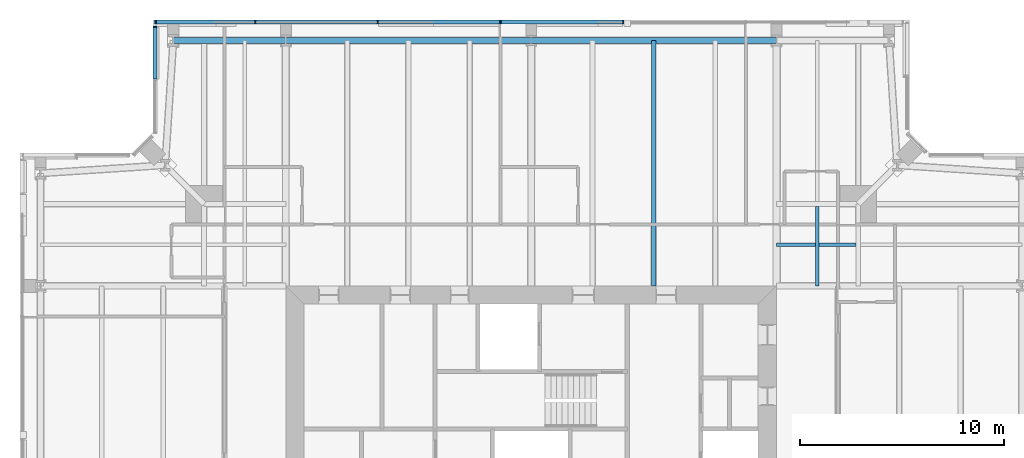
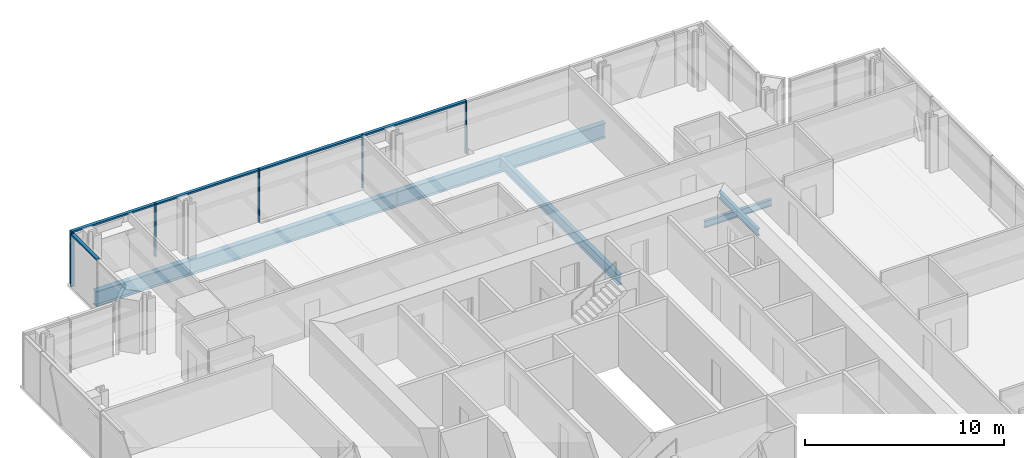
# One storey, part 8 of 20: 11 members, 7 beams, 2 elements without a shape of their own.
"""IFC4 building model written with IfcOpenShell, lengths in metres."""

from ifc_helpers import new_model, si_unit, direction, frame, origin, origin_2d, place, context, subcontext, project, spatial, rectangle, i_section, extrude, material, material_profile, profile_set, type_object, element, aggregate, save


model = new_model("IFC4")

# Units and contexts
model_context = context("Model", 3, precision=1e-05, world=origin(), true_north=direction((0.0, 1.0)))
body_context = subcontext(model_context, "Body", "Model", "MODEL_VIEW")
ifc_project = project(units=[si_unit("LENGTHUNIT", "METRE"), si_unit("AREAUNIT", "SQUARE_METRE"), si_unit("VOLUMEUNIT", "CUBIC_METRE"), si_unit("PLANEANGLEUNIT", "RADIAN"), si_unit("MASSUNIT", "GRAM", prefix="KILO")], contexts=[model_context])

# Site, building, storey
site_placement = place(None, origin())
site = spatial("IfcSite", under=ifc_project, at=site_placement, CompositionType="ELEMENT")
building_placement = place(site_placement, origin())
building = spatial("IfcBuilding", under=site, at=building_placement, Name="Fenwick Lantern Interchange", CompositionType="ELEMENT")
storey_placement = place(building_placement, frame((0.0, 0.0, 279.800048828125)))
storey = spatial("IfcBuildingStorey", under=building, at=storey_placement, Name="L67", CompositionType="ELEMENT", Elevation=279.800048828125)

# Beams
ifc_material_1 = material(Name="Steel ASTM A992 Grade 50", Category="steel")
ifc_material_profile_1 = material_profile(ifc_material_1, i_section(OverallWidth=0.3046875, OverallDepth=0.911865234375, WebThickness=0.015869140625, FlangeThickness=0.02392578125, at=origin_2d()), Name="W36X150")
ifc_profile_set_1 = profile_set([ifc_material_profile_1], Name="Steel ASTM A992 Grade 50")
beam_type_1 = type_object("IfcBeamType", Name="EDGE BEAM W36X150", PredefinedType="SPANDREL", material=ifc_profile_set_1)
for number, where, z_axis, x_axis, name in (
    (1, (37.0, 49.0, -0.60595703125), (-1.0, 0.0, 0.0), (0.0, -1.0, 0.0), "L67/FR/N/EB2"),
    (2, (25.0, 49.0, -0.60595703125), (-1.0, 0.0, 0.0), (0.0, -1.0, 0.0), "L67/FR/N/EB3"),
):
    element("IfcBeam", number, at=place(storey_placement, frame(where, z_axis=z_axis, x_axis=x_axis)), inside=storey, type_object=beam_type_1, Name=name, PredefinedType="SPANDREL", context=body_context, shape_type="SweptSolid", body=[
        extrude(i_section(OverallWidth=0.3046875, OverallDepth=0.911865234375, WebThickness=0.015869140625, FlangeThickness=0.02392578125, at=origin_2d()), origin(), (0.0, 0.0, 1.0), 12.0),
    ])
beam_1_placement = place(storey_placement, frame((13.0, 49.0, -0.60595703125), z_axis=(-1.0, 0.0, 0.0), x_axis=(0.0, -1.0, 0.0)))
element("IfcBeam", 3, at=beam_1_placement, inside=storey, type_object=beam_type_1, Name="L67/FR/N/EB4", PredefinedType="SPANDREL", context=body_context, shape_type="SweptSolid", body=[
    extrude(i_section(OverallWidth=0.3046875, OverallDepth=0.911865234375, WebThickness=0.015869140625, FlangeThickness=0.02392578125, at=origin_2d()), origin(), (0.0, 0.0, 1.0), 5.5),
])
ifc_material_profile_2 = material_profile(ifc_material_1, i_section(OverallWidth=0.22900390625, OverallDepth=0.612060546875, WebThickness=0.011962890625, FlangeThickness=0.01953125, at=origin_2d()), Name="W24X84")
ifc_profile_set_2 = profile_set([ifc_material_profile_2], Name="Steel ASTM A992 Grade 50")
beam_type_2 = type_object("IfcBeamType", Name="FLOOR BEAM W24X84", PredefinedType="BEAM", material=ifc_profile_set_2)
beam_2_placement = place(storey_placement, frame((31.0, 49.0, -0.4560546875), z_axis=(0.0, -1.0, 0.0), x_axis=(1.0, 0.0, 0.0)))
element("IfcBeam", 4, at=beam_2_placement, inside=storey, type_object=beam_type_2, Name="L67/FR/N/R03", PredefinedType="BEAM", context=body_context, shape_type="SweptSolid", body=[
    extrude(i_section(OverallWidth=0.22900390625, OverallDepth=0.612060546875, WebThickness=0.011962890625, FlangeThickness=0.01953125, at=origin_2d()), origin(), (0.0, 0.0, 1.0), 12.0),
])

# Curtain wall, members
ifc_material_2 = material(Name="Aluminium curtain wall frame", Category="aluminium")
curtain_wall_type = type_object("IfcCurtainWallType", Name="HOTEL CURTAIN WALL", PredefinedType="USERDEFINED", material=ifc_material_2)
curtain_wall_1_placement = place(storey_placement, origin())
curtain_wall_1 = element("IfcCurtainWall", 5, at=curtain_wall_1_placement, inside=storey, type_object=curtain_wall_type, Name="Hotel curtain wall 09", ObjectType="HOTEL CURTAIN WALL", PredefinedType="USERDEFINED")
ifc_material_3 = material(Name="Aluminium extrusion", Category="aluminium")
ifc_material_profile_3 = material_profile(ifc_material_3, rectangle(XDim=0.179931640625, YDim=0.06005859375, at=origin_2d()), Name="HOTEL CURTAIN WALL MULLION 60 X 180")
ifc_profile_set_3 = profile_set([ifc_material_profile_3], Name="Aluminium extrusion")
member_type_1 = type_object("IfcMemberType", Name="HOTEL CURTAIN WALL MULLION 60 X 180", PredefinedType="MULLION", material=ifc_profile_set_3)
member_1_placement = place(storey_placement, frame((29.5, 49.89990234375, 0.0), z_axis=(0.0, 0.0, 1.0), x_axis=(0.0, -1.0, 0.0)))
member_1 = element("IfcMember", 6, at=member_1_placement, type_object=member_type_1, Name="L67/CW/09/M03", PredefinedType="MULLION", context=body_context, shape_type="SweptSolid", body=[
    extrude(rectangle(XDim=0.179931640625, YDim=0.06005859375, at=origin_2d()), origin(), (0.0, 0.0, 1.0), 3.25),
])
member_2_placement = place(storey_placement, frame((23.5, 49.89990234375, 0.0), z_axis=(0.0, 0.0, 1.0), x_axis=(0.0, -1.0, 0.0)))
member_2 = element("IfcMember", 7, at=member_2_placement, type_object=member_type_1, Name="L67/CW/09/M04", PredefinedType="MULLION", context=body_context, shape_type="SweptSolid", body=[
    extrude(rectangle(XDim=0.179931640625, YDim=0.06005859375, at=origin_2d()), origin(), (0.0, 0.0, 1.0), 3.25),
])
member_3_placement = place(storey_placement, frame((17.5, 49.89990234375, 0.0), z_axis=(0.0, 0.0, 1.0), x_axis=(0.0, -1.0, 0.0)))
member_3 = element("IfcMember", 8, at=member_3_placement, type_object=member_type_1, Name="L67/CW/09/M05", PredefinedType="MULLION", context=body_context, shape_type="SweptSolid", body=[
    extrude(rectangle(XDim=0.179931640625, YDim=0.06005859375, at=origin_2d()), origin(), (0.0, 0.0, 1.0), 3.25),
])
member_4_placement = place(storey_placement, frame((11.5, 49.89990234375, 0.0), z_axis=(0.0, 0.0, 1.0), x_axis=(0.0, -1.0, 0.0)))
member_4 = element("IfcMember", 9, at=member_4_placement, type_object=member_type_1, Name="L67/CW/09/M06", PredefinedType="MULLION", context=body_context, shape_type="SweptSolid", body=[
    extrude(rectangle(XDim=0.179931640625, YDim=0.06005859375, at=origin_2d()), origin(), (0.0, 0.0, 1.0), 3.25),
])
member_5_placement = place(storey_placement, frame((6.6298828125, 49.89990234375, 0.0), z_axis=(0.0, 0.0, 1.0), x_axis=(0.0, -1.0, 0.0)))
member_5 = element("IfcMember", 10, at=member_5_placement, type_object=member_type_1, Name="L67/CW/09/M07", PredefinedType="MULLION", context=body_context, shape_type="SweptSolid", body=[
    extrude(rectangle(XDim=0.179931640625, YDim=0.06005859375, at=origin_2d()), origin(), (0.0, 0.0, 1.0), 3.25),
])

# Curtain wall, member
curtain_wall_2_placement = place(storey_placement, origin())
curtain_wall_2 = element("IfcCurtainWall", 11, at=curtain_wall_2_placement, inside=storey, type_object=curtain_wall_type, Name="Hotel curtain wall 10", ObjectType="HOTEL CURTAIN WALL", PredefinedType="USERDEFINED")
member_6_placement = place(storey_placement, frame((6.60009765625, 49.669921875, 0.0), z_axis=(0.0, 0.0, 1.0), x_axis=(1.0, 0.0, 0.0)))
member_6 = element("IfcMember", 12, at=member_6_placement, type_object=member_type_1, Name="L67/CW/10/M00", PredefinedType="MULLION", context=body_context, shape_type="SweptSolid", body=[
    extrude(rectangle(XDim=0.179931640625, YDim=0.06005859375, at=origin_2d()), origin(), (0.0, 0.0, 1.0), 3.25),
])

# Member
ifc_material_profile_4 = material_profile(ifc_material_3, rectangle(XDim=0.179931640625, YDim=0.10009765625, at=origin_2d()), Name="HOTEL CURTAIN WALL TRANSOM 100 X 180")
ifc_profile_set_4 = profile_set([ifc_material_profile_4], Name="Aluminium extrusion")
member_type_2 = type_object("IfcMemberType", Name="HOTEL CURTAIN WALL TRANSOM 100 X 180", PredefinedType="MULLION", material=ifc_profile_set_4)
member_7_placement = place(storey_placement, frame((29.469970703125, 49.89990234375, 3.199951171875), z_axis=(-1.0, 0.0, 0.0), x_axis=(0.0, -1.0, 0.0)))
member_7 = element("IfcMember", 13, at=member_7_placement, type_object=member_type_2, Name="L67/CW/09/T03", PredefinedType="MULLION", context=body_context, shape_type="SweptSolid", body=[
    extrude(rectangle(XDim=0.179931640625, YDim=0.10009765625, at=origin_2d()), origin(), (0.0, 0.0, 1.0), 5.93994140625),
])

member_8_placement = place(storey_placement, frame((23.469970703125, 49.89990234375, 3.199951171875), z_axis=(-1.0, 0.0, 0.0), x_axis=(0.0, -1.0, 0.0)))
member_8 = element("IfcMember", 14, at=member_8_placement, type_object=member_type_2, Name="L67/CW/09/T04", PredefinedType="MULLION", context=body_context, shape_type="SweptSolid", body=[
    extrude(rectangle(XDim=0.179931640625, YDim=0.10009765625, at=origin_2d()), origin(), (0.0, 0.0, 1.0), 5.93994140625),
])

member_9_placement = place(storey_placement, frame((17.469970703125, 49.89990234375, 3.199951171875), z_axis=(-1.0, 0.0, 0.0), x_axis=(0.0, -1.0, 0.0)))
member_9 = element("IfcMember", 15, at=member_9_placement, type_object=member_type_2, Name="L67/CW/09/T05", PredefinedType="MULLION", context=body_context, shape_type="SweptSolid", body=[
    extrude(rectangle(XDim=0.179931640625, YDim=0.10009765625, at=origin_2d()), origin(), (0.0, 0.0, 1.0), 5.93994140625),
])

member_10_placement = place(storey_placement, frame((11.469970703125, 49.89990234375, 3.199951171875), z_axis=(-1.0, 0.0, 0.0), x_axis=(0.0, -1.0, 0.0)))
member_10 = element("IfcMember", 16, at=member_10_placement, type_object=member_type_2, Name="L67/CW/09/T06", PredefinedType="MULLION", context=body_context, shape_type="SweptSolid", body=[
    extrude(rectangle(XDim=0.179931640625, YDim=0.10009765625, at=origin_2d()), origin(), (0.0, 0.0, 1.0), 4.81005859375),
])

aggregate(curtain_wall_1, [member_1, member_2, member_3, member_4, member_5, member_7, member_8, member_9, member_10])

member_11_placement = place(storey_placement, frame((6.60009765625, 49.639892578125, 3.199951171875), z_axis=(0.0, -1.0, 0.0), x_axis=(1.0, 0.0, 0.0)))
member_11 = element("IfcMember", 17, at=member_11_placement, type_object=member_type_2, Name="L67/CW/10/T00", PredefinedType="MULLION", context=body_context, shape_type="SweptSolid", body=[
    extrude(rectangle(XDim=0.179931640625, YDim=0.10009765625, at=origin_2d()), origin(), (0.0, 0.0, 1.0), 2.530517578125),
])

aggregate(curtain_wall_2, [member_6, member_11])

# Beams
ifc_material_profile_5 = material_profile(ifc_material_1, i_section(OverallWidth=0.177734375, OverallDepth=0.406494140625, WebThickness=0.0078125, FlangeThickness=0.012939453125, at=origin_2d()), Name="W16X40")
ifc_profile_set_5 = profile_set([ifc_material_profile_5], Name="Steel ASTM A992 Grade 50")
beam_type_3 = type_object("IfcBeamType", Name="INFILL BEAM W16X40", PredefinedType="JOIST", material=ifc_profile_set_5)
beam_3_placement = place(storey_placement, frame((39.0, 40.885498046875, -0.353271484375), z_axis=(0.0, -1.0, 0.0), x_axis=(1.0, 0.0, 0.0)))
element("IfcBeam", 18, at=beam_3_placement, inside=storey, type_object=beam_type_3, Name="L67/FR/N/J2", PredefinedType="JOIST", context=body_context, shape_type="SweptSolid", body=[
    extrude(i_section(OverallWidth=0.177734375, OverallDepth=0.406494140625, WebThickness=0.0078125, FlangeThickness=0.012939453125, at=origin_2d()), origin(), (0.0, 0.0, 1.0), 3.885498046875),
])
beam_4_placement = place(storey_placement, frame((40.885498046875, 39.0, -0.353271484375), z_axis=(-1.0, 0.0, 0.0), x_axis=(0.0, -1.0, 0.0)))
element("IfcBeam", 19, at=beam_4_placement, inside=storey, type_object=beam_type_3, Name="L67/FR/N/J4", PredefinedType="JOIST", context=body_context, shape_type="SweptSolid", body=[
    extrude(i_section(OverallWidth=0.177734375, OverallDepth=0.406494140625, WebThickness=0.0078125, FlangeThickness=0.012939453125, at=origin_2d()), origin(), (0.0, 0.0, 1.0), 1.796630859375),
])
beam_5_placement = place(storey_placement, frame((38.9111328125, 39.0, -0.353271484375), z_axis=(-1.0, 0.0, 0.0), x_axis=(0.0, -1.0, 0.0)))
element("IfcBeam", 20, at=beam_5_placement, inside=storey, type_object=beam_type_3, Name="L67/FR/N/J5", PredefinedType="JOIST", context=body_context, shape_type="SweptSolid", body=[
    extrude(i_section(OverallWidth=0.177734375, OverallDepth=0.406494140625, WebThickness=0.0078125, FlangeThickness=0.012939453125, at=origin_2d()), origin(), (0.0, 0.0, 1.0), 1.9111328125),
])

save(model, "model.ifc")
